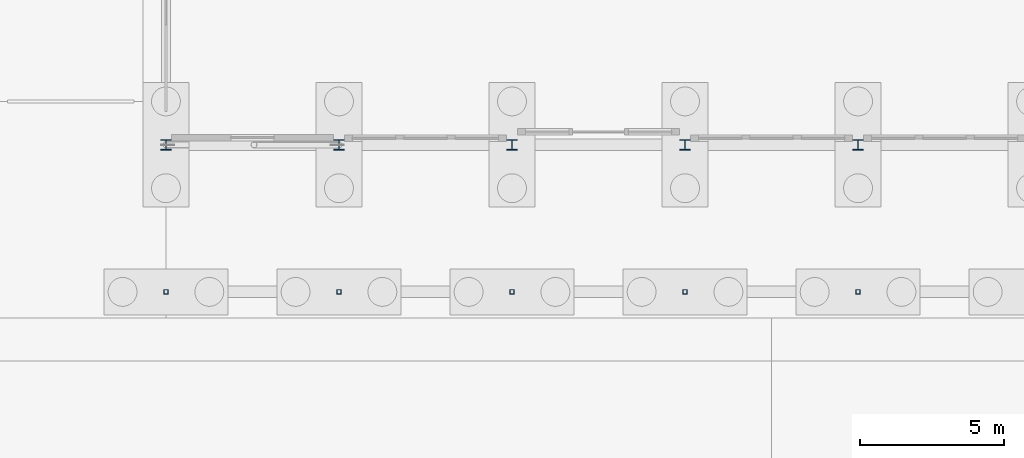
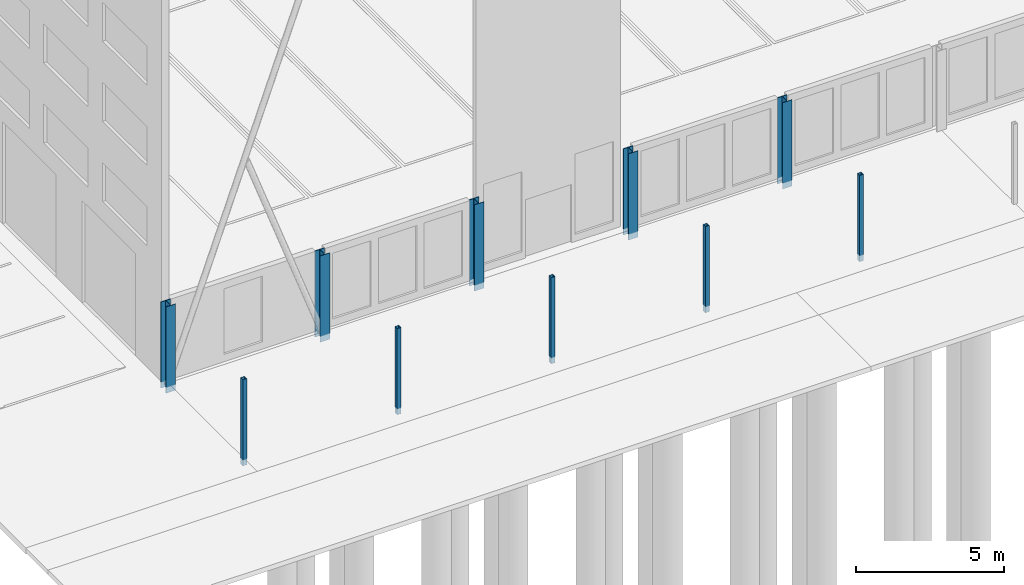
# One storey, part 9 of 130: 10 columns.
"""IFC4 building model written with IfcOpenShell, lengths in metres."""

import ifcopenshell
import ifcopenshell.guid

model = None  # the IFC model being written
_history = None  # IfcOwnerHistory: only IFC2X3 demands one
_inside = {}  # id of a spatial element -> (the spatial element, [elements in it])
_under = {}  # id of a project, library or spatial element -> (it, [spatial elements below it])
_declared = {}  # id of a project -> (the project, [libraries it declares])
_typed = {}  # id of a type object -> (the type object, [elements of that type])
_made_of = {}  # id of a material, layer set ... -> (it, [elements and type objects made of it])


def new_model(schema):
    """Start an empty IFC model of exactly this schema.

    Asked for "IFC4X3", IfcOpenShell would pick the latest addendum, in which some entities
    have other attributes; the version numbers below select the first issue.
    IFC2X3 requires an IfcOwnerHistory on every rooted entity: one is made here for all.
    """
    global model, _history
    if schema == "IFC4X3":
        model = ifcopenshell.file(schema_version=(4, 3, 0, 0))
    else:
        model = ifcopenshell.file(schema=schema)
    _inside.clear()
    _under.clear()
    _declared.clear()
    _typed.clear()
    _made_of.clear()
    _history = None
    if model.schema == "IFC2X3":
        org = make("IfcOrganization", Name="unknown")
        user = make(
            "IfcPersonAndOrganization",
            ThePerson=make("IfcPerson", FamilyName="unknown"),
            TheOrganization=org,
        )
        app = make(
            "IfcApplication",
            ApplicationDeveloper=org,
            Version="unknown",
            ApplicationFullName="unknown",
            ApplicationIdentifier="unknown",
        )
        _history = make(
            "IfcOwnerHistory",
            OwningUser=user,
            OwningApplication=app,
            ChangeAction="ADDED",
            CreationDate=0,
        )
    return model


def make(cls, **values):
    """One entity of the class cls with the attributes given. An attribute that is None is left unset."""
    return model.create_entity(
        cls, **{name: value for name, value in values.items() if value is not None}
    )


def rooted(cls, **values):
    """An entity with a GlobalId (a new one), such as an element, a storey or a relation."""
    return make(cls, GlobalId=ifcopenshell.guid.new(), OwnerHistory=_history, **values)


def si_unit(unit_type, name, prefix=None):
    """IfcSIUnit, for example si_unit("LENGTHUNIT", "METRE", prefix="MILLI")."""
    return make("IfcSIUnit", UnitType=unit_type, Prefix=prefix, Name=name)


def assignment(units):
    """IfcUnitAssignment: the units of a project."""
    return None if units is None else make("IfcUnitAssignment", Units=units)


def point(xyz):
    """IfcCartesianPoint."""
    return None if xyz is None else make("IfcCartesianPoint", Coordinates=xyz)


def direction(xyz):
    """IfcDirection."""
    return None if xyz is None else make("IfcDirection", DirectionRatios=xyz)


def frame(location, z_axis=None, x_axis=None):
    """IfcAxis2Placement3D, a coordinate frame: its origin and axes. An axis left out is left unset."""
    return make(
        "IfcAxis2Placement3D",
        Location=point(location),
        Axis=direction(z_axis),
        RefDirection=direction(x_axis),
    )


def frame_2d(location, x_axis=None):
    """IfcAxis2Placement2D, a coordinate frame in the plane: its origin and x axis."""
    return make(
        "IfcAxis2Placement2D", Location=point(location), RefDirection=direction(x_axis)
    )


def origin():
    """The frame at (0, 0, 0) with its axes left unset."""
    return frame((0.0, 0.0, 0.0))


def origin_2d():
    """The frame at (0, 0) in the plane with its x axis left unset."""
    return frame_2d((0.0, 0.0))


def place(relative_to, where):
    """IfcLocalPlacement: puts the frame where relative to a parent placement (None: the world)."""
    return make(
        "IfcLocalPlacement", PlacementRelTo=relative_to, RelativePlacement=where
    )


def context(
    kind, dimensions, precision=None, world=None, true_north=None, identifier=None
):
    """IfcGeometricRepresentationContext, for example the 3D "Model" context."""
    return make(
        "IfcGeometricRepresentationContext",
        ContextIdentifier=identifier,
        ContextType=kind,
        CoordinateSpaceDimension=dimensions,
        Precision=precision,
        WorldCoordinateSystem=world,
        TrueNorth=true_north,
    )


def subcontext(parent, identifier, kind, view, scale=None):
    """IfcGeometricRepresentationSubContext, for example "Body" below "Model"."""
    return make(
        "IfcGeometricRepresentationSubContext",
        ContextIdentifier=identifier,
        ContextType=kind,
        ParentContext=parent,
        TargetScale=scale,
        TargetView=view,
    )


def project(units=None, contexts=None):
    """IfcProject with its units and contexts."""
    return rooted(
        "IfcProject",
        Name="project",
        RepresentationContexts=contexts,
        UnitsInContext=assignment(units),
    )


def spatial(cls, under=None, at=None, **own):
    """A site, building, storey or space (cls), placed at a placement, below another one or the project."""
    s = rooted(cls, ObjectPlacement=at, **own)
    if under is not None:
        _under.setdefault(under.id(), (under, []))[1].append(s)
    return s


def profile(cls, at=None, kind="AREA", **sizes):
    """A parametric profile (cls). Its sizes go by their IFC names, for example OverallWidth=200.0."""
    return make(cls, ProfileType=kind, Position=at, **sizes)


def hollow_rectangle(**sizes):
    """IfcRectangleHollowProfileDef."""
    return profile("IfcRectangleHollowProfileDef", **sizes)


def i_section(**sizes):
    """IfcIShapeProfileDef."""
    return profile("IfcIShapeProfileDef", **sizes)


def extrude(swept, where, along, depth):
    """IfcExtrudedAreaSolid: the profile swept, set in the frame where, extruded along a direction by depth."""
    return make(
        "IfcExtrudedAreaSolid",
        SweptArea=swept,
        Position=where,
        ExtrudedDirection=direction(along),
        Depth=depth,
    )


def shape(context_of_items, identifier, shape_type, items):
    """IfcShapeRepresentation: the items that make up one representation, for example the "Body"."""
    return make(
        "IfcShapeRepresentation",
        ContextOfItems=context_of_items,
        RepresentationIdentifier=identifier,
        RepresentationType=shape_type,
        Items=items,
    )


def material(Name=None, Category=None):
    """IfcMaterial."""
    return make("IfcMaterial", Name=Name, Category=Category)


def material_profile(
    of_material, cross_section, Name=None, Category=None, Priority=None
):
    """IfcMaterialProfile: a cross section and its material."""
    return make(
        "IfcMaterialProfile",
        Name=Name,
        Material=of_material,
        Profile=cross_section,
        Priority=Priority,
        Category=Category,
    )


def profile_set(profiles, Name=None, composite=None):
    """IfcMaterialProfileSet."""
    return make(
        "IfcMaterialProfileSet",
        Name=Name,
        MaterialProfiles=profiles,
        CompositeProfile=composite,
    )


def made_of(thing, what):
    """Note that an element or type object is made of a material, layer set ...; save() writes the relation."""
    if what is not None:
        _made_of.setdefault(what.id(), (what, []))[1].append(thing)
    return thing


def type_object(cls, material=None, **own):
    """A type object (cls), such as IfcWallType, which elements share."""
    return made_of(rooted(cls, **own), material)


def element(
    cls,
    number,
    at=None,
    inside=None,
    cuts=None,
    type_object=None,
    material=None,
    context=None,
    identifier="Body",
    shape_type=None,
    held_by="IfcProductDefinitionShape",
    body=None,
    shapes=None,
    **own,
):
    """One element of the class cls, such as IfcWall. Its Tag is "e" and its number.

    at: its placement. inside: the storey or other place that contains it. cuts: it is an
    opening in that element (IfcRelVoidsElement). A single representation is given by context,
    identifier, shape_type and body (its items); several are given by shapes. held_by: the class
    of the entity that holds the representations. save() writes the other relations.
    """
    e = rooted(cls, Tag="e%d" % number, ObjectPlacement=at, **own)
    if body is not None:
        shapes = [shape(context, identifier, shape_type, body)]
    if shapes is not None:
        e.Representation = make(held_by, Representations=shapes)
    if inside is not None:
        _inside.setdefault(inside.id(), (inside, []))[1].append(e)
    if cuts is not None:
        rooted(
            "IfcRelVoidsElement", RelatingBuildingElement=cuts, RelatedOpeningElement=e
        )
    if type_object is not None:
        _typed.setdefault(type_object.id(), (type_object, []))[1].append(e)
    return made_of(e, material)


def aggregate(whole, parts):
    """IfcRelAggregates: a whole, such as a stair, and the parts it consists of."""
    return rooted("IfcRelAggregates", RelatingObject=whole, RelatedObjects=parts)


def save(model, path):
    """Write the relations noted so far, then the file.

    IfcRelAggregates (storeys below a building ...), IfcRelContainedInSpatialStructure (elements
    in a storey), IfcRelDefinesByType, IfcRelAssociatesMaterial and IfcRelDeclares: one each for
    every whole, place, type object, material and project.
    """
    for whole, parts in _under.values():
        aggregate(whole, parts)
    for where, things in _inside.values():
        rooted(
            "IfcRelContainedInSpatialStructure",
            RelatedElements=things,
            RelatingStructure=where,
        )
    for kind, things in _typed.values():
        rooted("IfcRelDefinesByType", RelatedObjects=things, RelatingType=kind)
    for what, things in _made_of.values():
        rooted("IfcRelAssociatesMaterial", RelatedObjects=things, RelatingMaterial=what)
    for by, libraries in _declared.values():
        rooted("IfcRelDeclares", RelatingContext=by, RelatedDefinitions=libraries)
    model.write(path)


model = new_model("IFC4")

# Units and contexts
model_context = context("Model", 3, precision=1e-05, world=origin(), true_north=direction((0.0, 1.0)))
body_context = subcontext(model_context, "Body", "Model", "MODEL_VIEW")
ifc_project = project(units=[si_unit("LENGTHUNIT", "METRE"), si_unit("AREAUNIT", "SQUARE_METRE"), si_unit("VOLUMEUNIT", "CUBIC_METRE"), si_unit("PLANEANGLEUNIT", "RADIAN"), si_unit("MASSUNIT", "GRAM", prefix="KILO")], contexts=[model_context])

# Site, building, storey
site_placement = place(None, origin())
site = spatial("IfcSite", under=ifc_project, at=site_placement, CompositionType="ELEMENT")
building_placement = place(site_placement, origin())
building = spatial("IfcBuilding", under=site, at=building_placement, Name="Parallax Yard Mobility Hub", CompositionType="ELEMENT")
storey_placement = place(building_placement, origin())
storey = spatial("IfcBuildingStorey", under=building, at=storey_placement, Name="L00", CompositionType="ELEMENT", Elevation=0.0)

# Columns
ifc_material_1 = material(Name="Steel ASTM A500 Gr C", Category="steel")
ifc_material_profile_1 = material_profile(ifc_material_1, hollow_rectangle(XDim=0.15234375, YDim=0.15234375, WallThickness=0.009521484375, at=origin_2d()), Name="HSS152x152x9.5")
ifc_profile_set_1 = profile_set([ifc_material_profile_1], Name="Steel ASTM A500 Gr C")
column_type_1 = type_object("IfcColumnType", Name="Roof column HSS152x152x9.5", PredefinedType="COLUMN", material=ifc_profile_set_1)
for number, where, z_axis, x_axis, name in (
    (1, (9.0, 2.39990234375, -0.25), (0.0, 0.0, 1.0), (1.0, 0.0, 0.0), "Arcade column V1 1 level L00"),
    (2, (15.0, 2.39990234375, -0.25), (0.0, 0.0, 1.0), (1.0, 0.0, 0.0), "Arcade column V1 2 level L00"),
    (3, (21.0, 2.39990234375, -0.25), (0.0, 0.0, 1.0), (1.0, 0.0, 0.0), "Arcade column V1 3 level L00"),
    (4, (27.0, 2.39990234375, -0.25), (0.0, 0.0, 1.0), (1.0, 0.0, 0.0), "Arcade column V1 4 level L00"),
    (5, (33.0, 2.39990234375, -0.25), (0.0, 0.0, 1.0), (1.0, 0.0, 0.0), "Arcade column V1 5 level L00"),
):
    element("IfcColumn", number, at=place(storey_placement, frame(where, z_axis=z_axis, x_axis=x_axis)), inside=storey, type_object=column_type_1, Name=name, PredefinedType="COLUMN", context=body_context, shape_type="SweptSolid", body=[
        extrude(hollow_rectangle(XDim=0.15234375, YDim=0.15234375, WallThickness=0.009521484375, at=origin_2d()), origin(), (0.0, 0.0, 1.0), 3.550048828125),
    ])
ifc_material_2 = material(Name="Steel ASTM A992", Category="steel")
ifc_material_profile_2 = material_profile(ifc_material_2, i_section(OverallWidth=0.373046875, OverallDepth=0.367919921875, WebThickness=0.014892578125, FlangeThickness=0.02392578125, FilletRadius=0.01513671875, at=origin_2d()), Name="W360x179")
ifc_profile_set_2 = profile_set([ifc_material_profile_2], Name="Steel ASTM A992")
column_type_2 = type_object("IfcColumnType", Name="W360x179 column", PredefinedType="COLUMN", material=ifc_profile_set_2)
for number, where, z_axis, x_axis, name in (
    (6, (9.0, 7.5, -0.25), (0.0, 0.0, 1.0), (1.0, 0.0, 0.0), "Column C7 level L00 at F1/B of bus and taxi deck"),
    (7, (15.0, 7.5, -0.25), (0.0, 0.0, 1.0), (1.0, 0.0, 0.0), "Column C7 level L00 at F2/B of bus and taxi deck"),
    (8, (21.0, 7.5, -0.25), (0.0, 0.0, 1.0), (1.0, 0.0, 0.0), "Column C7 level L00 at F3/B of bus and taxi deck"),
    (9, (27.0, 7.5, -0.25), (0.0, 0.0, 1.0), (1.0, 0.0, 0.0), "Column C7 level L00 at F4/B of bus and taxi deck"),
    (10, (33.0, 7.5, -0.25), (0.0, 0.0, 1.0), (1.0, 0.0, 0.0), "Column C7 level L00 at F5/B of bus and taxi deck"),
):
    element("IfcColumn", number, at=place(storey_placement, frame(where, z_axis=z_axis, x_axis=x_axis)), inside=storey, type_object=column_type_2, Name=name, PredefinedType="COLUMN", context=body_context, shape_type="SweptSolid", body=[
        extrude(i_section(OverallWidth=0.373046875, OverallDepth=0.367919921875, WebThickness=0.014892578125, FlangeThickness=0.02392578125, FilletRadius=0.01513671875, at=origin_2d()), origin(), (0.0, 0.0, 1.0), 3.550048828125),
    ])

save(model, "model.ifc")
